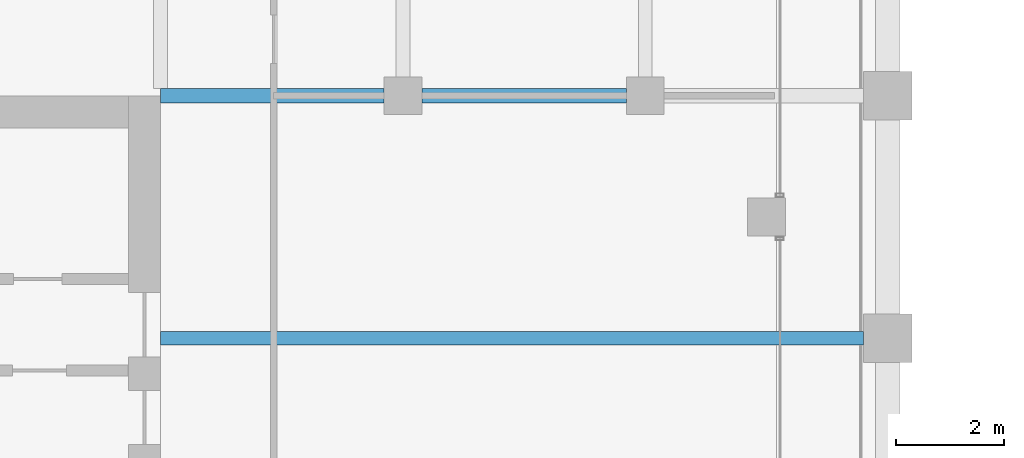
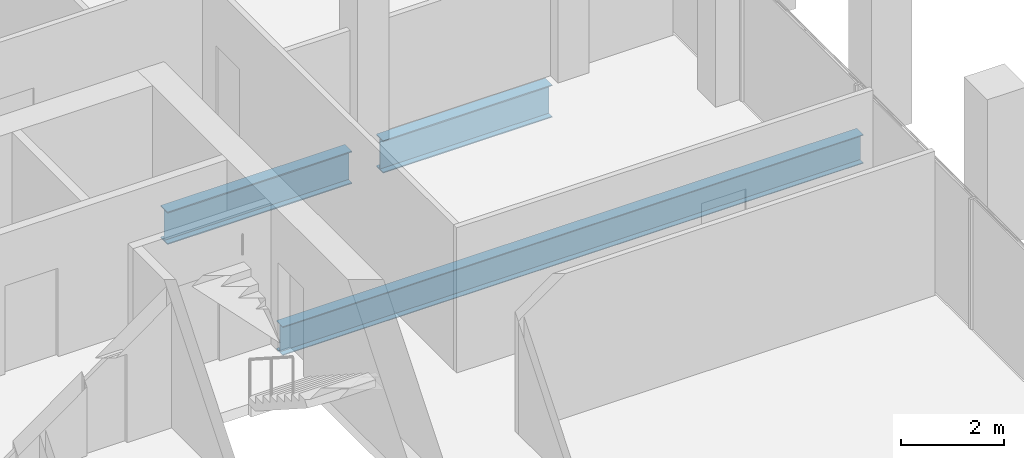
# One storey, part 18 of 40: 3 beams.
"""IFC4 building model written with IfcOpenShell, lengths in metres."""

import ifcopenshell
import ifcopenshell.guid

model = None  # the IFC model being written
_history = None  # IfcOwnerHistory: only IFC2X3 demands one
_inside = {}  # id of a spatial element -> (the spatial element, [elements in it])
_under = {}  # id of a project, library or spatial element -> (it, [spatial elements below it])
_declared = {}  # id of a project -> (the project, [libraries it declares])
_typed = {}  # id of a type object -> (the type object, [elements of that type])
_made_of = {}  # id of a material, layer set ... -> (it, [elements and type objects made of it])


def new_model(schema):
    """Start an empty IFC model of exactly this schema.

    Asked for "IFC4X3", IfcOpenShell would pick the latest addendum, in which some entities
    have other attributes; the version numbers below select the first issue.
    IFC2X3 requires an IfcOwnerHistory on every rooted entity: one is made here for all.
    """
    global model, _history
    if schema == "IFC4X3":
        model = ifcopenshell.file(schema_version=(4, 3, 0, 0))
    else:
        model = ifcopenshell.file(schema=schema)
    _inside.clear()
    _under.clear()
    _declared.clear()
    _typed.clear()
    _made_of.clear()
    _history = None
    if model.schema == "IFC2X3":
        org = make("IfcOrganization", Name="unknown")
        user = make(
            "IfcPersonAndOrganization",
            ThePerson=make("IfcPerson", FamilyName="unknown"),
            TheOrganization=org,
        )
        app = make(
            "IfcApplication",
            ApplicationDeveloper=org,
            Version="unknown",
            ApplicationFullName="unknown",
            ApplicationIdentifier="unknown",
        )
        _history = make(
            "IfcOwnerHistory",
            OwningUser=user,
            OwningApplication=app,
            ChangeAction="ADDED",
            CreationDate=0,
        )
    return model


def make(cls, **values):
    """One entity of the class cls with the attributes given. An attribute that is None is left unset."""
    return model.create_entity(
        cls, **{name: value for name, value in values.items() if value is not None}
    )


def rooted(cls, **values):
    """An entity with a GlobalId (a new one), such as an element, a storey or a relation."""
    return make(cls, GlobalId=ifcopenshell.guid.new(), OwnerHistory=_history, **values)


def si_unit(unit_type, name, prefix=None):
    """IfcSIUnit, for example si_unit("LENGTHUNIT", "METRE", prefix="MILLI")."""
    return make("IfcSIUnit", UnitType=unit_type, Prefix=prefix, Name=name)


def assignment(units):
    """IfcUnitAssignment: the units of a project."""
    return None if units is None else make("IfcUnitAssignment", Units=units)


def point(xyz):
    """IfcCartesianPoint."""
    return None if xyz is None else make("IfcCartesianPoint", Coordinates=xyz)


def direction(xyz):
    """IfcDirection."""
    return None if xyz is None else make("IfcDirection", DirectionRatios=xyz)


def frame(location, z_axis=None, x_axis=None):
    """IfcAxis2Placement3D, a coordinate frame: its origin and axes. An axis left out is left unset."""
    return make(
        "IfcAxis2Placement3D",
        Location=point(location),
        Axis=direction(z_axis),
        RefDirection=direction(x_axis),
    )


def frame_2d(location, x_axis=None):
    """IfcAxis2Placement2D, a coordinate frame in the plane: its origin and x axis."""
    return make(
        "IfcAxis2Placement2D", Location=point(location), RefDirection=direction(x_axis)
    )


def origin():
    """The frame at (0, 0, 0) with its axes left unset."""
    return frame((0.0, 0.0, 0.0))


def origin_2d():
    """The frame at (0, 0) in the plane with its x axis left unset."""
    return frame_2d((0.0, 0.0))


def place(relative_to, where):
    """IfcLocalPlacement: puts the frame where relative to a parent placement (None: the world)."""
    return make(
        "IfcLocalPlacement", PlacementRelTo=relative_to, RelativePlacement=where
    )


def context(
    kind, dimensions, precision=None, world=None, true_north=None, identifier=None
):
    """IfcGeometricRepresentationContext, for example the 3D "Model" context."""
    return make(
        "IfcGeometricRepresentationContext",
        ContextIdentifier=identifier,
        ContextType=kind,
        CoordinateSpaceDimension=dimensions,
        Precision=precision,
        WorldCoordinateSystem=world,
        TrueNorth=true_north,
    )


def subcontext(parent, identifier, kind, view, scale=None):
    """IfcGeometricRepresentationSubContext, for example "Body" below "Model"."""
    return make(
        "IfcGeometricRepresentationSubContext",
        ContextIdentifier=identifier,
        ContextType=kind,
        ParentContext=parent,
        TargetScale=scale,
        TargetView=view,
    )


def project(units=None, contexts=None):
    """IfcProject with its units and contexts."""
    return rooted(
        "IfcProject",
        Name="project",
        RepresentationContexts=contexts,
        UnitsInContext=assignment(units),
    )


def spatial(cls, under=None, at=None, **own):
    """A site, building, storey or space (cls), placed at a placement, below another one or the project."""
    s = rooted(cls, ObjectPlacement=at, **own)
    if under is not None:
        _under.setdefault(under.id(), (under, []))[1].append(s)
    return s


def profile(cls, at=None, kind="AREA", **sizes):
    """A parametric profile (cls). Its sizes go by their IFC names, for example OverallWidth=200.0."""
    return make(cls, ProfileType=kind, Position=at, **sizes)


def i_section(**sizes):
    """IfcIShapeProfileDef."""
    return profile("IfcIShapeProfileDef", **sizes)


def extrude(swept, where, along, depth):
    """IfcExtrudedAreaSolid: the profile swept, set in the frame where, extruded along a direction by depth."""
    return make(
        "IfcExtrudedAreaSolid",
        SweptArea=swept,
        Position=where,
        ExtrudedDirection=direction(along),
        Depth=depth,
    )


def shape(context_of_items, identifier, shape_type, items):
    """IfcShapeRepresentation: the items that make up one representation, for example the "Body"."""
    return make(
        "IfcShapeRepresentation",
        ContextOfItems=context_of_items,
        RepresentationIdentifier=identifier,
        RepresentationType=shape_type,
        Items=items,
    )


def material(Name=None, Category=None):
    """IfcMaterial."""
    return make("IfcMaterial", Name=Name, Category=Category)


def material_profile(
    of_material, cross_section, Name=None, Category=None, Priority=None
):
    """IfcMaterialProfile: a cross section and its material."""
    return make(
        "IfcMaterialProfile",
        Name=Name,
        Material=of_material,
        Profile=cross_section,
        Priority=Priority,
        Category=Category,
    )


def profile_set(profiles, Name=None, composite=None):
    """IfcMaterialProfileSet."""
    return make(
        "IfcMaterialProfileSet",
        Name=Name,
        MaterialProfiles=profiles,
        CompositeProfile=composite,
    )


def made_of(thing, what):
    """Note that an element or type object is made of a material, layer set ...; save() writes the relation."""
    if what is not None:
        _made_of.setdefault(what.id(), (what, []))[1].append(thing)
    return thing


def type_object(cls, material=None, **own):
    """A type object (cls), such as IfcWallType, which elements share."""
    return made_of(rooted(cls, **own), material)


def element(
    cls,
    number,
    at=None,
    inside=None,
    cuts=None,
    type_object=None,
    material=None,
    context=None,
    identifier="Body",
    shape_type=None,
    held_by="IfcProductDefinitionShape",
    body=None,
    shapes=None,
    **own,
):
    """One element of the class cls, such as IfcWall. Its Tag is "e" and its number.

    at: its placement. inside: the storey or other place that contains it. cuts: it is an
    opening in that element (IfcRelVoidsElement). A single representation is given by context,
    identifier, shape_type and body (its items); several are given by shapes. held_by: the class
    of the entity that holds the representations. save() writes the other relations.
    """
    e = rooted(cls, Tag="e%d" % number, ObjectPlacement=at, **own)
    if body is not None:
        shapes = [shape(context, identifier, shape_type, body)]
    if shapes is not None:
        e.Representation = make(held_by, Representations=shapes)
    if inside is not None:
        _inside.setdefault(inside.id(), (inside, []))[1].append(e)
    if cuts is not None:
        rooted(
            "IfcRelVoidsElement", RelatingBuildingElement=cuts, RelatedOpeningElement=e
        )
    if type_object is not None:
        _typed.setdefault(type_object.id(), (type_object, []))[1].append(e)
    return made_of(e, material)


def aggregate(whole, parts):
    """IfcRelAggregates: a whole, such as a stair, and the parts it consists of."""
    return rooted("IfcRelAggregates", RelatingObject=whole, RelatedObjects=parts)


def save(model, path):
    """Write the relations noted so far, then the file.

    IfcRelAggregates (storeys below a building ...), IfcRelContainedInSpatialStructure (elements
    in a storey), IfcRelDefinesByType, IfcRelAssociatesMaterial and IfcRelDeclares: one each for
    every whole, place, type object, material and project.
    """
    for whole, parts in _under.values():
        aggregate(whole, parts)
    for where, things in _inside.values():
        rooted(
            "IfcRelContainedInSpatialStructure",
            RelatedElements=things,
            RelatingStructure=where,
        )
    for kind, things in _typed.values():
        rooted("IfcRelDefinesByType", RelatedObjects=things, RelatingType=kind)
    for what, things in _made_of.values():
        rooted("IfcRelAssociatesMaterial", RelatedObjects=things, RelatingMaterial=what)
    for by, libraries in _declared.values():
        rooted("IfcRelDeclares", RelatingContext=by, RelatedDefinitions=libraries)
    model.write(path)


model = new_model("IFC4")

# Units and contexts
model_context = context("Model", 3, precision=1e-05, world=origin(), true_north=direction((0.0, 1.0)))
body_context = subcontext(model_context, "Body", "Model", "MODEL_VIEW")
ifc_project = project(units=[si_unit("LENGTHUNIT", "METRE"), si_unit("AREAUNIT", "SQUARE_METRE"), si_unit("VOLUMEUNIT", "CUBIC_METRE"), si_unit("PLANEANGLEUNIT", "RADIAN"), si_unit("MASSUNIT", "GRAM", prefix="KILO")], contexts=[model_context])

# Site, building, storey
site_placement = place(None, origin())
site = spatial("IfcSite", under=ifc_project, at=site_placement, CompositionType="ELEMENT")
building_placement = place(site_placement, origin())
building = spatial("IfcBuilding", under=site, at=building_placement, Name="Altepetl Exchange Towers", CompositionType="ELEMENT")
storey_placement = place(building_placement, frame((0.0, 0.0, 172.60009765625)))
storey = spatial("IfcBuildingStorey", under=building, at=storey_placement, Name="L43", CompositionType="ELEMENT", Elevation=172.60009765625)

# Beams
ifc_material = material(Name="Steel S355", Category="steel")
ifc_material_profile_1 = material_profile(ifc_material, i_section(OverallWidth=0.25390625, OverallDepth=0.68408203125, WebThickness=0.012451171875, FlangeThickness=0.018798828125, at=origin_2d()), Name="W27X94")
ifc_profile_set_1 = profile_set([ifc_material_profile_1], Name="Steel S355")
beam_type_1 = type_object("IfcBeamType", Name="Floor beam W27X94", PredefinedType="BEAM", material=ifc_profile_set_1)
beam_1_placement = place(storey_placement, frame((58.5, 54.0, -0.4921875), z_axis=(1.0, 0.0, 0.0), x_axis=(0.0, 1.0, 0.0)))
element("IfcBeam", 1, at=beam_1_placement, inside=storey, type_object=beam_type_1, Name="bm:A:L43:011", PredefinedType="BEAM", context=body_context, shape_type="SweptSolid", body=[
    extrude(i_section(OverallWidth=0.25390625, OverallDepth=0.68408203125, WebThickness=0.012451171875, FlangeThickness=0.018798828125, at=origin_2d()), origin(), (0.0, 0.0, 1.0), 13.050048828125),
])
ifc_material_profile_2 = material_profile(ifc_material, i_section(OverallWidth=0.26806640625, OverallDepth=0.77392578125, WebThickness=0.015380859375, FlangeThickness=0.025390625, at=origin_2d()), Name="W30X132")
ifc_profile_set_2 = profile_set([ifc_material_profile_2], Name="Steel S355")
beam_type_2 = type_object("IfcBeamType", Name="Girder W30X132", PredefinedType="BEAM", material=ifc_profile_set_2)
beam_2_placement = place(storey_placement, frame((58.5, 58.5, -0.537109375), z_axis=(1.0, 0.0, 0.0), x_axis=(0.0, 1.0, 0.0)))
element("IfcBeam", 2, at=beam_2_placement, inside=storey, type_object=beam_type_2, Name="gd:A:L43:000", PredefinedType="BEAM", context=body_context, shape_type="SweptSolid", body=[
    extrude(i_section(OverallWidth=0.26806640625, OverallDepth=0.77392578125, WebThickness=0.015380859375, FlangeThickness=0.025390625, at=origin_2d()), origin(), (0.0, 0.0, 1.0), 4.14990234375),
])
beam_3_placement = place(storey_placement, frame((63.35009765625, 58.5, -0.537109375), z_axis=(1.0, 0.0, 0.0), x_axis=(0.0, 1.0, 0.0)))
element("IfcBeam", 3, at=beam_3_placement, inside=storey, type_object=beam_type_2, Name="gd:A:L43:001", PredefinedType="BEAM", context=body_context, shape_type="SweptSolid", body=[
    extrude(i_section(OverallWidth=0.26806640625, OverallDepth=0.77392578125, WebThickness=0.015380859375, FlangeThickness=0.025390625, at=origin_2d()), origin(), (0.0, 0.0, 1.0), 3.7998046875),
])

save(model, "model.ifc")
